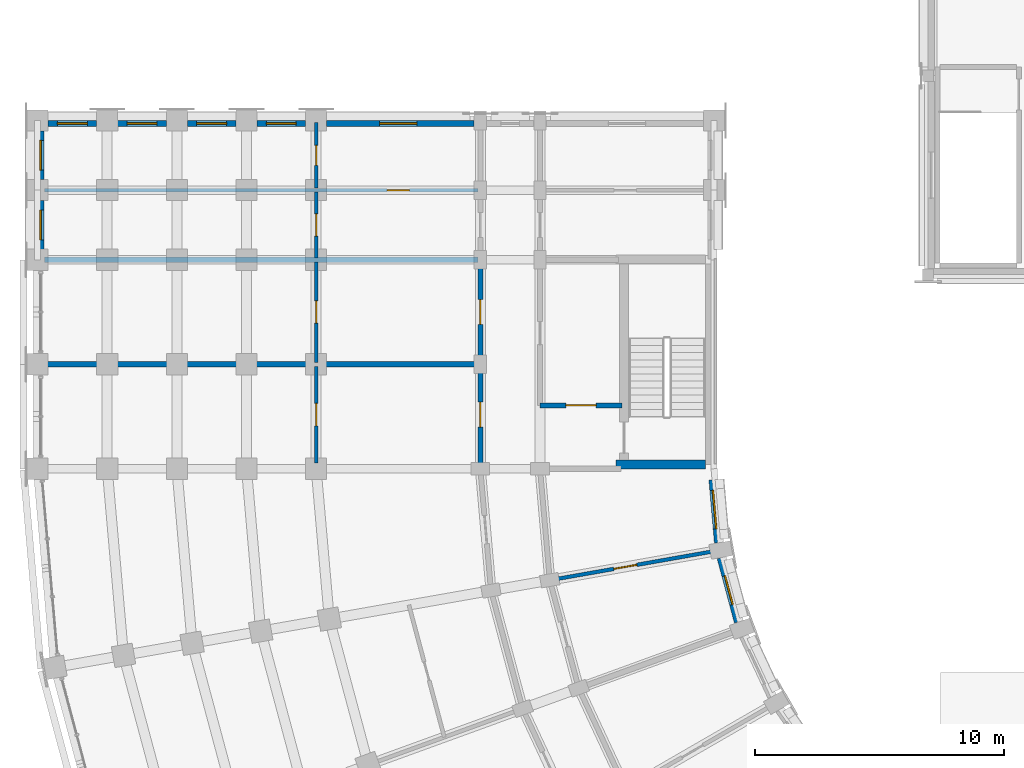
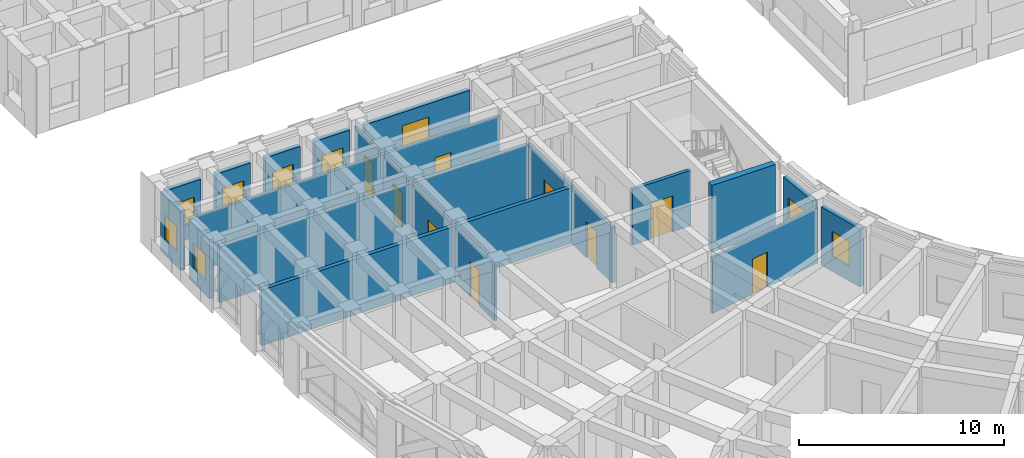
# One storey, part 60 of 97: 21 walls, 9 doors, 9 windows, 18 openings.
"""IFC4 building model written with IfcOpenShell, lengths in metres."""

import ifcopenshell
import ifcopenshell.guid

model = None  # the IFC model being written
_history = None  # IfcOwnerHistory: only IFC2X3 demands one
_inside = {}  # id of a spatial element -> (the spatial element, [elements in it])
_under = {}  # id of a project, library or spatial element -> (it, [spatial elements below it])
_declared = {}  # id of a project -> (the project, [libraries it declares])
_typed = {}  # id of a type object -> (the type object, [elements of that type])
_made_of = {}  # id of a material, layer set ... -> (it, [elements and type objects made of it])


def new_model(schema):
    """Start an empty IFC model of exactly this schema.

    Asked for "IFC4X3", IfcOpenShell would pick the latest addendum, in which some entities
    have other attributes; the version numbers below select the first issue.
    IFC2X3 requires an IfcOwnerHistory on every rooted entity: one is made here for all.
    """
    global model, _history
    if schema == "IFC4X3":
        model = ifcopenshell.file(schema_version=(4, 3, 0, 0))
    else:
        model = ifcopenshell.file(schema=schema)
    _inside.clear()
    _under.clear()
    _declared.clear()
    _typed.clear()
    _made_of.clear()
    _history = None
    if model.schema == "IFC2X3":
        org = make("IfcOrganization", Name="unknown")
        user = make(
            "IfcPersonAndOrganization",
            ThePerson=make("IfcPerson", FamilyName="unknown"),
            TheOrganization=org,
        )
        app = make(
            "IfcApplication",
            ApplicationDeveloper=org,
            Version="unknown",
            ApplicationFullName="unknown",
            ApplicationIdentifier="unknown",
        )
        _history = make(
            "IfcOwnerHistory",
            OwningUser=user,
            OwningApplication=app,
            ChangeAction="ADDED",
            CreationDate=0,
        )
    return model


def make(cls, **values):
    """One entity of the class cls with the attributes given. An attribute that is None is left unset."""
    return model.create_entity(
        cls, **{name: value for name, value in values.items() if value is not None}
    )


def rooted(cls, **values):
    """An entity with a GlobalId (a new one), such as an element, a storey or a relation."""
    return make(cls, GlobalId=ifcopenshell.guid.new(), OwnerHistory=_history, **values)


def si_unit(unit_type, name, prefix=None):
    """IfcSIUnit, for example si_unit("LENGTHUNIT", "METRE", prefix="MILLI")."""
    return make("IfcSIUnit", UnitType=unit_type, Prefix=prefix, Name=name)


def assignment(units):
    """IfcUnitAssignment: the units of a project."""
    return None if units is None else make("IfcUnitAssignment", Units=units)


def point(xyz):
    """IfcCartesianPoint."""
    return None if xyz is None else make("IfcCartesianPoint", Coordinates=xyz)


def direction(xyz):
    """IfcDirection."""
    return None if xyz is None else make("IfcDirection", DirectionRatios=xyz)


def frame(location, z_axis=None, x_axis=None):
    """IfcAxis2Placement3D, a coordinate frame: its origin and axes. An axis left out is left unset."""
    return make(
        "IfcAxis2Placement3D",
        Location=point(location),
        Axis=direction(z_axis),
        RefDirection=direction(x_axis),
    )


def frame_2d(location, x_axis=None):
    """IfcAxis2Placement2D, a coordinate frame in the plane: its origin and x axis."""
    return make(
        "IfcAxis2Placement2D", Location=point(location), RefDirection=direction(x_axis)
    )


def origin():
    """The frame at (0, 0, 0) with its axes left unset."""
    return frame((0.0, 0.0, 0.0))


def place(relative_to, where):
    """IfcLocalPlacement: puts the frame where relative to a parent placement (None: the world)."""
    return make(
        "IfcLocalPlacement", PlacementRelTo=relative_to, RelativePlacement=where
    )


def context(
    kind, dimensions, precision=None, world=None, true_north=None, identifier=None
):
    """IfcGeometricRepresentationContext, for example the 3D "Model" context."""
    return make(
        "IfcGeometricRepresentationContext",
        ContextIdentifier=identifier,
        ContextType=kind,
        CoordinateSpaceDimension=dimensions,
        Precision=precision,
        WorldCoordinateSystem=world,
        TrueNorth=true_north,
    )


def subcontext(parent, identifier, kind, view, scale=None):
    """IfcGeometricRepresentationSubContext, for example "Body" below "Model"."""
    return make(
        "IfcGeometricRepresentationSubContext",
        ContextIdentifier=identifier,
        ContextType=kind,
        ParentContext=parent,
        TargetScale=scale,
        TargetView=view,
    )


def project(units=None, contexts=None):
    """IfcProject with its units and contexts."""
    return rooted(
        "IfcProject",
        Name="project",
        RepresentationContexts=contexts,
        UnitsInContext=assignment(units),
    )


def spatial(cls, under=None, at=None, **own):
    """A site, building, storey or space (cls), placed at a placement, below another one or the project."""
    s = rooted(cls, ObjectPlacement=at, **own)
    if under is not None:
        _under.setdefault(under.id(), (under, []))[1].append(s)
    return s


def profile(cls, at=None, kind="AREA", **sizes):
    """A parametric profile (cls). Its sizes go by their IFC names, for example OverallWidth=200.0."""
    return make(cls, ProfileType=kind, Position=at, **sizes)


def rectangle(**sizes):
    """IfcRectangleProfileDef."""
    return profile("IfcRectangleProfileDef", **sizes)


def extrude(swept, where, along, depth):
    """IfcExtrudedAreaSolid: the profile swept, set in the frame where, extruded along a direction by depth."""
    return make(
        "IfcExtrudedAreaSolid",
        SweptArea=swept,
        Position=where,
        ExtrudedDirection=direction(along),
        Depth=depth,
    )


def shape(context_of_items, identifier, shape_type, items):
    """IfcShapeRepresentation: the items that make up one representation, for example the "Body"."""
    return make(
        "IfcShapeRepresentation",
        ContextOfItems=context_of_items,
        RepresentationIdentifier=identifier,
        RepresentationType=shape_type,
        Items=items,
    )


def material(Name=None, Category=None):
    """IfcMaterial."""
    return make("IfcMaterial", Name=Name, Category=Category)


def layer(
    of_material, thickness, ventilated=None, Name=None, Category=None, Priority=None
):
    """IfcMaterialLayer: one layer of a wall or slab, of a material (None: an air gap)."""
    return make(
        "IfcMaterialLayer",
        Material=of_material,
        LayerThickness=thickness,
        IsVentilated=ventilated,
        Name=Name,
        Category=Category,
        Priority=Priority,
    )


def layer_set(layers, Name=None):
    """IfcMaterialLayerSet."""
    return make("IfcMaterialLayerSet", MaterialLayers=layers, LayerSetName=Name)


def made_of(thing, what):
    """Note that an element or type object is made of a material, layer set ...; save() writes the relation."""
    if what is not None:
        _made_of.setdefault(what.id(), (what, []))[1].append(thing)
    return thing


def type_object(cls, material=None, **own):
    """A type object (cls), such as IfcWallType, which elements share."""
    return made_of(rooted(cls, **own), material)


def element(
    cls,
    number,
    at=None,
    inside=None,
    cuts=None,
    type_object=None,
    material=None,
    context=None,
    identifier="Body",
    shape_type=None,
    held_by="IfcProductDefinitionShape",
    body=None,
    shapes=None,
    **own,
):
    """One element of the class cls, such as IfcWall. Its Tag is "e" and its number.

    at: its placement. inside: the storey or other place that contains it. cuts: it is an
    opening in that element (IfcRelVoidsElement). A single representation is given by context,
    identifier, shape_type and body (its items); several are given by shapes. held_by: the class
    of the entity that holds the representations. save() writes the other relations.
    """
    e = rooted(cls, Tag="e%d" % number, ObjectPlacement=at, **own)
    if body is not None:
        shapes = [shape(context, identifier, shape_type, body)]
    if shapes is not None:
        e.Representation = make(held_by, Representations=shapes)
    if inside is not None:
        _inside.setdefault(inside.id(), (inside, []))[1].append(e)
    if cuts is not None:
        rooted(
            "IfcRelVoidsElement", RelatingBuildingElement=cuts, RelatedOpeningElement=e
        )
    if type_object is not None:
        _typed.setdefault(type_object.id(), (type_object, []))[1].append(e)
    return made_of(e, material)


def fill(opening, filler):
    """IfcRelFillsElement: the door or window that sits in an opening."""
    return rooted(
        "IfcRelFillsElement",
        RelatingOpeningElement=opening,
        RelatedBuildingElement=filler,
    )


def aggregate(whole, parts):
    """IfcRelAggregates: a whole, such as a stair, and the parts it consists of."""
    return rooted("IfcRelAggregates", RelatingObject=whole, RelatedObjects=parts)


def save(model, path):
    """Write the relations noted so far, then the file.

    IfcRelAggregates (storeys below a building ...), IfcRelContainedInSpatialStructure (elements
    in a storey), IfcRelDefinesByType, IfcRelAssociatesMaterial and IfcRelDeclares: one each for
    every whole, place, type object, material and project.
    """
    for whole, parts in _under.values():
        aggregate(whole, parts)
    for where, things in _inside.values():
        rooted(
            "IfcRelContainedInSpatialStructure",
            RelatedElements=things,
            RelatingStructure=where,
        )
    for kind, things in _typed.values():
        rooted("IfcRelDefinesByType", RelatedObjects=things, RelatingType=kind)
    for what, things in _made_of.values():
        rooted("IfcRelAssociatesMaterial", RelatedObjects=things, RelatingMaterial=what)
    for by, libraries in _declared.values():
        rooted("IfcRelDeclares", RelatingContext=by, RelatedDefinitions=libraries)
    model.write(path)


model = new_model("IFC4")

# Units and contexts
model_context = context("Model", 3, precision=1e-05, world=origin(), true_north=direction((0.0, 1.0)))
body_context = subcontext(model_context, "Body", "Model", "MODEL_VIEW")
ifc_project = project(units=[si_unit("LENGTHUNIT", "METRE"), si_unit("AREAUNIT", "SQUARE_METRE"), si_unit("VOLUMEUNIT", "CUBIC_METRE"), si_unit("PLANEANGLEUNIT", "RADIAN"), si_unit("MASSUNIT", "GRAM", prefix="KILO")], contexts=[model_context])

# Site, building, storey
site_placement = place(None, origin())
site = spatial("IfcSite", under=ifc_project, at=site_placement, CompositionType="ELEMENT")
building_placement = place(site_placement, origin())
building = spatial("IfcBuilding", under=site, at=building_placement, Name="Kiranvali Square Residences", CompositionType="ELEMENT")
storey_placement = place(building_placement, frame((0.0, 0.0, 4.5)))
storey = spatial("IfcBuildingStorey", under=building, at=storey_placement, Name="L01", CompositionType="ELEMENT", Elevation=4.5)

# Wall, opening, door
ifc_material_1 = material(Name="Autoclaved aerated concrete blockwork masonry", Category="masonry")
ifc_layer_1 = layer(ifc_material_1, 0.199951171875)
ifc_layer_set_1 = layer_set([ifc_layer_1], Name="Autoclaved aerated concrete blockwork masonry")
wall_type_1 = type_object("IfcWallType", Name="WL-COR-200", PredefinedType="STANDARD", material=ifc_layer_set_1)
wall_1_placement = place(storey_placement, frame((25.699951171875, 50.75, 0.0), z_axis=(0.0, 0.0, 1.0), x_axis=(-1.0, 0.0, 0.0)))
wall_1 = element("IfcWall", 1, at=wall_1_placement, inside=storey, type_object=wall_type_1, Name="L01 architectural wall WL-L01-C-S3-V", PredefinedType="STANDARD", context=body_context, shape_type="SweptSolid", body=[
    extrude(rectangle(XDim=3.300048828125, YDim=0.199951171875, at=frame_2d((1.64990234375, 0.0))), origin(), (0.0, 0.0, 1.0), 3.322021484375),
])
opening_1_placement = place(wall_1_placement, frame((1.0400390625, 0.0, 0.0)))
opening_1 = element("IfcOpeningElement", 2, at=opening_1_placement, cuts=wall_1, Name="Opening FD-COR-60", PredefinedType="OPENING", context=body_context, shape_type="SweptSolid", body=[
    extrude(rectangle(XDim=1.219970703125, YDim=2.14990234375, at=frame_2d((0.60986328125, 1.074951171875))), frame((0.0, 0.10986328125, 0.0), z_axis=(0.0, -1.0, 0.0), x_axis=(1.0, 0.0, 0.0)), (0.0, 0.0, 1.0), 0.219970703125),
])
ifc_material_2 = material(Name="Fire-rated acoustic hardwood and mineral-core door assembly", Category="wood")
door_type_1 = type_object("IfcDoorType", Name="DR-FD60-1200", OperationType="NOTDEFINED", PredefinedType="DOOR", material=ifc_material_2)
door_1_placement = place(opening_1_placement, frame((1.219970703125, 0.0, 0.0), z_axis=(0.0, 0.0, 1.0), x_axis=(-1.0, 0.0, 0.0)))
door_1 = element("IfcDoor", 3, at=door_1_placement, inside=storey, type_object=door_type_1, Name="L01 door DR-L01-1796 (DR-FD60-1200)", OperationType="SINGLE_SWING_RIGHT", OverallHeight=2.14990234375, OverallWidth=1.219970703125, PredefinedType="DOOR", context=body_context, shape_type="SweptSolid", body=[
    extrude(rectangle(XDim=1.219970703125, YDim=2.14990234375, at=frame_2d((0.60986328125, 1.074951171875))), frame((0.0, 0.02490234375, 0.0), z_axis=(0.0, -1.0, 0.0), x_axis=(1.0, 0.0, 0.0)), (0.0, 0.0, 1.0), 0.050048828125),
])
fill(opening_1, door_1)

wall_2_placement = place(storey_placement, frame((20.0, 48.35009765625, 0.0), z_axis=(0.0, 0.0, 1.0), x_axis=(0.0, 1.0, 0.0)))
wall_2 = element("IfcWall", 4, at=wall_2_placement, inside=storey, type_object=wall_type_1, Name="L01 architectural wall WL-L01-C-A2CF-C0", PredefinedType="STANDARD", context=body_context, shape_type="SweptSolid", body=[
    extrude(rectangle(XDim=4.0498046875, YDim=0.199951171875, at=frame_2d((2.02490234375, 0.0))), origin(), (0.0, 0.0, 1.0), 3.322021484375),
])
opening_2_placement = place(wall_2_placement, frame((1.52490234375, 0.0, 0.0)))
opening_2 = element("IfcOpeningElement", 5, at=opening_2_placement, cuts=wall_2, Name="Opening FD-APT-60", PredefinedType="OPENING", context=body_context, shape_type="SweptSolid", body=[
    extrude(rectangle(XDim=1.0, YDim=2.14990234375, at=frame_2d((0.5, 1.074951171875))), frame((0.0, 0.10986328125, 0.0), z_axis=(0.0, -1.0, 0.0), x_axis=(1.0, 0.0, 0.0)), (0.0, 0.0, 1.0), 0.219970703125),
])
door_type_2 = type_object("IfcDoorType", Name="DR-APT-1000", OperationType="NOTDEFINED", PredefinedType="DOOR", material=ifc_material_2)
door_2_placement = place(opening_2_placement, origin())
door_2 = element("IfcDoor", 6, at=door_2_placement, inside=storey, type_object=door_type_2, Name="L01 door DR-L01-1835 (DR-APT-1000)", OperationType="SINGLE_SWING_LEFT", OverallHeight=2.14990234375, OverallWidth=1.0, PredefinedType="DOOR", context=body_context, shape_type="SweptSolid", body=[
    extrude(rectangle(XDim=1.0, YDim=2.14990234375, at=frame_2d((0.5, 1.074951171875))), frame((0.0, 0.02490234375, 0.0), z_axis=(0.0, -1.0, 0.0), x_axis=(1.0, 0.0, 0.0)), (0.0, 0.0, 1.0), 0.050048828125),
])
fill(opening_2, door_2)

wall_3_placement = place(storey_placement, frame((20.0, 52.39990234375, 0.0), z_axis=(0.0, 0.0, 1.0), x_axis=(0.0, 1.0, 0.0)))
wall_3 = element("IfcWall", 7, at=wall_3_placement, inside=storey, type_object=wall_type_1, Name="L01 architectural wall WL-L01-C-A2CF-C1", PredefinedType="STANDARD", context=body_context, shape_type="SweptSolid", body=[
    extrude(rectangle(XDim=4.2001953125, YDim=0.199951171875, at=frame_2d((2.10009765625, 0.0))), origin(), (0.0, 0.0, 1.0), 3.322021484375),
])
opening_3_placement = place(wall_3_placement, frame((1.60009765625, 0.0, 0.0)))
opening_3 = element("IfcOpeningElement", 8, at=opening_3_placement, cuts=wall_3, Name="Opening FD-APT-60", PredefinedType="OPENING", context=body_context, shape_type="SweptSolid", body=[
    extrude(rectangle(XDim=1.0, YDim=2.14990234375, at=frame_2d((0.5, 1.074951171875))), frame((0.0, 0.10986328125, 0.0), z_axis=(0.0, -1.0, 0.0), x_axis=(1.0, 0.0, 0.0)), (0.0, 0.0, 1.0), 0.219970703125),
])
door_3_placement = place(opening_3_placement, origin())
door_3 = element("IfcDoor", 9, at=door_3_placement, inside=storey, type_object=door_type_2, Name="L01 door DR-L01-1837 (DR-APT-1000)", OperationType="SINGLE_SWING_LEFT", OverallHeight=2.14990234375, OverallWidth=1.0, PredefinedType="DOOR", context=body_context, shape_type="SweptSolid", body=[
    extrude(rectangle(XDim=1.0, YDim=2.14990234375, at=frame_2d((0.5, 1.074951171875))), frame((0.0, 0.02490234375, 0.0), z_axis=(0.0, -1.0, 0.0), x_axis=(1.0, 0.0, 0.0)), (0.0, 0.0, 1.0), 0.050048828125),
])
fill(opening_3, door_3)

# Walls
ifc_layer_2 = layer(ifc_material_1, 0.219970703125)
ifc_layer_set_2 = layer_set([ifc_layer_2], Name="Autoclaved aerated concrete blockwork masonry")
wall_type_2 = type_object("IfcWallType", Name="WL-DEM-220", PredefinedType="STANDARD", material=ifc_layer_set_2)
wall_4_placement = place(storey_placement, frame((19.949951171875, 52.39990234375, 0.0), z_axis=(0.0, 0.0, 1.0), x_axis=(-1.0, 0.0, 0.0)))
element("IfcWall", 10, at=wall_4_placement, inside=storey, type_object=wall_type_2, Name="L01 architectural wall WL-L01-C-A2CF-MID", PredefinedType="STANDARD", context=body_context, shape_type="SweptSolid", body=[
    extrude(rectangle(XDim=17.530029296875, YDim=0.219970703125, at=frame_2d((8.76513671875, 0.0))), origin(), (0.0, 0.0, 1.0), 3.322021484375),
])
wall_5_placement = place(storey_placement, frame((19.89990234375, 56.60009765625, 0.0), z_axis=(0.0, 0.0, 1.0), x_axis=(-1.0, 0.0, 0.0)))
element("IfcWall", 11, at=wall_5_placement, inside=storey, type_object=wall_type_2, Name="L01 architectural wall WL-L01-C-A2TO-0", PredefinedType="STANDARD", context=body_context, shape_type="SweptSolid", body=[
    extrude(rectangle(XDim=17.419921875, YDim=0.219970703125, at=frame_2d((8.7099609375, 0.0))), origin(), (0.0, 0.0, 1.0), 3.322021484375),
])

# Wall, opening, window
ifc_material_3 = material(Name="Breathable lime-rendered clay brick masonry", Category="masonry")
ifc_layer_3 = layer(ifc_material_3, 0.25)
ifc_layer_set_3 = layer_set([ifc_layer_3], Name="Breathable lime-rendered clay brick masonry")
wall_type_3 = type_object("IfcWallType", Name="WL-EXT-250", PredefinedType="STANDARD", material=ifc_layer_set_3)
wall_6_placement = place(storey_placement, frame((30.33447265625, 42.031005859375, 0.0), z_axis=(0.0, 0.0, 1.0), x_axis=(-0.258812272661, 0.965927640934, 0.0)))
wall_6 = element("IfcWall", 12, at=wall_6_placement, inside=storey, type_object=wall_type_3, Name="L01 exterior wall C-L01-GDN-07", PredefinedType="STANDARD", context=body_context, shape_type="SweptSolid", body=[
    extrude(rectangle(XDim=2.669677734375, YDim=0.25, at=frame_2d((1.3349609375, 0.0))), origin(), (0.0, 0.0, 1.0), 3.471923828125),
])
opening_4_placement = place(wall_6_placement, frame((0.73486328125, 0.0, 0.8798828125)))
opening_4 = element("IfcOpeningElement", 13, at=opening_4_placement, cuts=wall_6, Name="Opening W-06", PredefinedType="OPENING", context=body_context, shape_type="SweptSolid", body=[
    extrude(rectangle(XDim=1.199951171875, YDim=1.5, at=frame_2d((0.60009765625, 0.75))), frame((0.0, 0.135009765625, 0.0), z_axis=(0.0, -1.0, 0.0), x_axis=(1.0, 0.0, 0.0)), (0.0, 0.0, 1.0), 0.27001953125),
])
ifc_material_4 = material(Name="Solar-control low-e double glazing", Category="glass")
window_type_1 = type_object("IfcWindowType", Name="WIN-RES-1200x1500", PartitioningType="SINGLE_PANEL", PredefinedType="WINDOW", material=ifc_material_4)
window_1_placement = place(opening_4_placement, origin())
window_1 = element("IfcWindow", 14, at=window_1_placement, inside=storey, type_object=window_type_1, Name="L01 recessed window C-L01-GDN-07", OverallHeight=1.5, OverallWidth=1.199951171875, PartitioningType="SINGLE_PANEL", PredefinedType="WINDOW", context=body_context, shape_type="SweptSolid", body=[
    extrude(rectangle(XDim=1.199951171875, YDim=1.5, at=frame_2d((0.60009765625, 0.75))), frame((0.0, 0.030029296875, 0.0), z_axis=(0.0, -1.0, 0.0), x_axis=(1.0, 0.0, 0.0)), (0.0, 0.0, 1.0), 0.06005859375),
])
fill(opening_4, window_1)

wall_7_placement = place(storey_placement, frame((29.53466796875, 45.22705078125, 0.0), z_axis=(0.0, 0.0, 1.0), x_axis=(-0.087215965161, 0.996189427479, 0.0)))
wall_7 = element("IfcWall", 15, at=wall_7_placement, inside=storey, type_object=wall_type_3, Name="L01 exterior wall C-L01-GDN-08", PredefinedType="STANDARD", context=body_context, shape_type="SweptSolid", body=[
    extrude(rectangle(XDim=2.533447265625, YDim=0.25, at=frame_2d((1.2666015625, 0.0))), origin(), (0.0, 0.0, 1.0), 3.471923828125),
])
opening_5_placement = place(wall_7_placement, frame((0.559814453125, 0.0, 0.8798828125)))
opening_5 = element("IfcOpeningElement", 16, at=opening_5_placement, cuts=wall_7, Name="Opening W-18", PredefinedType="OPENING", context=body_context, shape_type="SweptSolid", body=[
    extrude(rectangle(XDim=1.550048828125, YDim=1.60009765625, at=frame_2d((0.77490234375, 0.800048828125))), frame((0.0, 0.135009765625, 0.0), z_axis=(0.0, -1.0, 0.0), x_axis=(1.0, 0.0, 0.0)), (0.0, 0.0, 1.0), 0.27001953125),
])
window_type_2 = type_object("IfcWindowType", Name="WIN-GDN-1550x1600", PartitioningType="DOUBLE_PANEL_VERTICAL", PredefinedType="WINDOW", material=ifc_material_4)
window_2_placement = place(opening_5_placement, origin())
window_2 = element("IfcWindow", 17, at=window_2_placement, inside=storey, type_object=window_type_2, Name="L01 recessed window C-L01-GDN-08", OverallHeight=1.60009765625, OverallWidth=1.550048828125, PartitioningType="DOUBLE_PANEL_VERTICAL", PredefinedType="WINDOW", context=body_context, shape_type="SweptSolid", body=[
    extrude(rectangle(XDim=1.550048828125, YDim=1.60009765625, at=frame_2d((0.77490234375, 0.800048828125))), frame((0.0, 0.030029296875, 0.0), z_axis=(0.0, -1.0, 0.0), x_axis=(1.0, 0.0, 0.0)), (0.0, 0.0, 1.0), 0.06005859375),
])
fill(opening_5, window_2)

wall_8_placement = place(storey_placement, frame((2.324951171875, 57.02001953125, 0.0), z_axis=(0.0, 0.0, 1.0), x_axis=(0.0, 1.0, 0.0)))
wall_8 = element("IfcWall", 18, at=wall_8_placement, inside=storey, type_object=wall_type_3, Name="L01 exterior wall C-L01-A2O-2", PredefinedType="STANDARD", context=body_context, shape_type="SweptSolid", body=[
    extrude(rectangle(XDim=1.9599609375, YDim=0.25, at=frame_2d((0.97998046875, 0.0))), origin(), (0.0, 0.0, 1.0), 3.52197265625),
])
opening_6_placement = place(wall_8_placement, frame((0.3798828125, 0.0, 0.8798828125)))
opening_6 = element("IfcOpeningElement", 19, at=opening_6_placement, cuts=wall_8, Name="Opening W-06", PredefinedType="OPENING", context=body_context, shape_type="SweptSolid", body=[
    extrude(rectangle(XDim=1.199951171875, YDim=1.5, at=frame_2d((0.60009765625, 0.75))), frame((0.0, 0.135009765625, 0.0), z_axis=(0.0, -1.0, 0.0), x_axis=(1.0, 0.0, 0.0)), (0.0, 0.0, 1.0), 0.27001953125),
])
window_3_placement = place(opening_6_placement, origin())
window_3 = element("IfcWindow", 20, at=window_3_placement, inside=storey, type_object=window_type_1, Name="L01 recessed window C-L01-A2O-2", OverallHeight=1.5, OverallWidth=1.199951171875, PartitioningType="SINGLE_PANEL", PredefinedType="WINDOW", context=body_context, shape_type="SweptSolid", body=[
    extrude(rectangle(XDim=1.199951171875, YDim=1.5, at=frame_2d((0.60009765625, 0.75))), frame((0.0, 0.030029296875, 0.0), z_axis=(0.0, -1.0, 0.0), x_axis=(1.0, 0.0, 0.0)), (0.0, 0.0, 1.0), 0.06005859375),
])
fill(opening_6, window_3)

wall_9_placement = place(storey_placement, frame((2.324951171875, 59.820068359375, 0.0), z_axis=(0.0, 0.0, 1.0), x_axis=(0.0, 1.0, 0.0)))
wall_9 = element("IfcWall", 21, at=wall_9_placement, inside=storey, type_object=wall_type_3, Name="L01 exterior wall C-L01-A2O-3", PredefinedType="STANDARD", context=body_context, shape_type="SweptSolid", body=[
    extrude(rectangle(XDim=1.9599609375, YDim=0.25, at=frame_2d((0.97998046875, 0.0))), origin(), (0.0, 0.0, 1.0), 3.52197265625),
])
opening_7_placement = place(wall_9_placement, frame((0.3798828125, 0.0, 0.8798828125)))
opening_7 = element("IfcOpeningElement", 22, at=opening_7_placement, cuts=wall_9, Name="Opening W-06", PredefinedType="OPENING", context=body_context, shape_type="SweptSolid", body=[
    extrude(rectangle(XDim=1.199951171875, YDim=1.5, at=frame_2d((0.60009765625, 0.75))), frame((0.0, 0.135009765625, 0.0), z_axis=(0.0, -1.0, 0.0), x_axis=(1.0, 0.0, 0.0)), (0.0, 0.0, 1.0), 0.27001953125),
])
window_4_placement = place(opening_7_placement, origin())
window_4 = element("IfcWindow", 23, at=window_4_placement, inside=storey, type_object=window_type_1, Name="L01 recessed window C-L01-A2O-3", OverallHeight=1.5, OverallWidth=1.199951171875, PartitioningType="SINGLE_PANEL", PredefinedType="WINDOW", context=body_context, shape_type="SweptSolid", body=[
    extrude(rectangle(XDim=1.199951171875, YDim=1.5, at=frame_2d((0.60009765625, 0.75))), frame((0.0, 0.030029296875, 0.0), z_axis=(0.0, -1.0, 0.0), x_axis=(1.0, 0.0, 0.0)), (0.0, 0.0, 1.0), 0.06005859375),
])
fill(opening_7, window_4)

wall_10_placement = place(storey_placement, frame((19.74658203125, 62.074951171875, 0.0), z_axis=(0.0, 0.0, 1.0), x_axis=(-1.0, 0.0, 0.0)))
wall_10 = element("IfcWall", 24, at=wall_10_placement, inside=storey, type_object=wall_type_3, Name="L01 exterior wall C-L01-A2END-2", PredefinedType="STANDARD", context=body_context, shape_type="SweptSolid", body=[
    extrude(rectangle(XDim=5.926513671875, YDim=0.25, at=frame_2d((2.96337890625, 0.0))), origin(), (0.0, 0.0, 1.0), 3.322021484375),
])
opening_8_placement = place(wall_10_placement, frame((2.29638671875, 0.0, 0.8798828125)))
opening_8 = element("IfcOpeningElement", 25, at=opening_8_placement, cuts=wall_10, Name="Opening W-05", PredefinedType="OPENING", context=body_context, shape_type="SweptSolid", body=[
    extrude(rectangle(XDim=1.5, YDim=1.64990234375, at=frame_2d((0.75, 0.824951171875))), frame((0.0, 0.135009765625, 0.0), z_axis=(0.0, -1.0, 0.0), x_axis=(1.0, 0.0, 0.0)), (0.0, 0.0, 1.0), 0.27001953125),
])
window_type_3 = type_object("IfcWindowType", Name="WIN-RES-1500x1650", PartitioningType="DOUBLE_PANEL_VERTICAL", PredefinedType="WINDOW", material=ifc_material_4)
window_5_placement = place(opening_8_placement, origin())
window_5 = element("IfcWindow", 26, at=window_5_placement, inside=storey, type_object=window_type_3, Name="L01 recessed window C-L01-A2END-2", OverallHeight=1.64990234375, OverallWidth=1.5, PartitioningType="DOUBLE_PANEL_VERTICAL", PredefinedType="WINDOW", context=body_context, shape_type="SweptSolid", body=[
    extrude(rectangle(XDim=1.5, YDim=1.64990234375, at=frame_2d((0.75, 0.824951171875))), frame((0.0, 0.030029296875, 0.0), z_axis=(0.0, -1.0, 0.0), x_axis=(1.0, 0.0, 0.0)), (0.0, 0.0, 1.0), 0.06005859375),
])
fill(opening_8, window_5)

wall_11_placement = place(storey_placement, frame((12.97998046875, 62.074951171875, 0.0), z_axis=(0.0, 0.0, 1.0), x_axis=(-1.0, 0.0, 0.0)))
wall_11 = element("IfcWall", 27, at=wall_11_placement, inside=storey, type_object=wall_type_3, Name="L01 exterior wall C-L01-A2END-3", PredefinedType="STANDARD", context=body_context, shape_type="SweptSolid", body=[
    extrude(rectangle(XDim=1.9599609375, YDim=0.25, at=frame_2d((0.97998046875, 0.0))), origin(), (0.0, 0.0, 1.0), 3.322021484375),
])
opening_9_placement = place(wall_11_placement, frame((0.3798828125, 0.0, 0.8798828125)))
opening_9 = element("IfcOpeningElement", 28, at=opening_9_placement, cuts=wall_11, Name="Opening W-06", PredefinedType="OPENING", context=body_context, shape_type="SweptSolid", body=[
    extrude(rectangle(XDim=1.199951171875, YDim=1.5, at=frame_2d((0.60009765625, 0.75))), frame((0.0, 0.135009765625, 0.0), z_axis=(0.0, -1.0, 0.0), x_axis=(1.0, 0.0, 0.0)), (0.0, 0.0, 1.0), 0.27001953125),
])
window_6_placement = place(opening_9_placement, origin())
window_6 = element("IfcWindow", 29, at=window_6_placement, inside=storey, type_object=window_type_1, Name="L01 recessed window C-L01-A2END-3", OverallHeight=1.5, OverallWidth=1.199951171875, PartitioningType="SINGLE_PANEL", PredefinedType="WINDOW", context=body_context, shape_type="SweptSolid", body=[
    extrude(rectangle(XDim=1.199951171875, YDim=1.5, at=frame_2d((0.60009765625, 0.75))), frame((0.0, 0.030029296875, 0.0), z_axis=(0.0, -1.0, 0.0), x_axis=(1.0, 0.0, 0.0)), (0.0, 0.0, 1.0), 0.06005859375),
])
fill(opening_9, window_6)

wall_12_placement = place(storey_placement, frame((10.179931640625, 62.074951171875, 0.0), z_axis=(0.0, 0.0, 1.0), x_axis=(-1.0, 0.0, 0.0)))
wall_12 = element("IfcWall", 30, at=wall_12_placement, inside=storey, type_object=wall_type_3, Name="L01 exterior wall C-L01-A2END-4", PredefinedType="STANDARD", context=body_context, shape_type="SweptSolid", body=[
    extrude(rectangle(XDim=1.9599609375, YDim=0.25, at=frame_2d((0.97998046875, 0.0))), origin(), (0.0, 0.0, 1.0), 3.322021484375),
])
opening_10_placement = place(wall_12_placement, frame((0.3798828125, 0.0, 0.8798828125)))
opening_10 = element("IfcOpeningElement", 31, at=opening_10_placement, cuts=wall_12, Name="Opening W-06", PredefinedType="OPENING", context=body_context, shape_type="SweptSolid", body=[
    extrude(rectangle(XDim=1.199951171875, YDim=1.5, at=frame_2d((0.60009765625, 0.75))), frame((0.0, 0.135009765625, 0.0), z_axis=(0.0, -1.0, 0.0), x_axis=(1.0, 0.0, 0.0)), (0.0, 0.0, 1.0), 0.27001953125),
])
window_7_placement = place(opening_10_placement, origin())
window_7 = element("IfcWindow", 32, at=window_7_placement, inside=storey, type_object=window_type_1, Name="L01 recessed window C-L01-A2END-4", OverallHeight=1.5, OverallWidth=1.199951171875, PartitioningType="SINGLE_PANEL", PredefinedType="WINDOW", context=body_context, shape_type="SweptSolid", body=[
    extrude(rectangle(XDim=1.199951171875, YDim=1.5, at=frame_2d((0.60009765625, 0.75))), frame((0.0, 0.030029296875, 0.0), z_axis=(0.0, -1.0, 0.0), x_axis=(1.0, 0.0, 0.0)), (0.0, 0.0, 1.0), 0.06005859375),
])
fill(opening_10, window_7)

wall_13_placement = place(storey_placement, frame((7.3798828125, 62.074951171875, 0.0), z_axis=(0.0, 0.0, 1.0), x_axis=(-1.0, 0.0, 0.0)))
wall_13 = element("IfcWall", 33, at=wall_13_placement, inside=storey, type_object=wall_type_3, Name="L01 exterior wall C-L01-A2END-5", PredefinedType="STANDARD", context=body_context, shape_type="SweptSolid", body=[
    extrude(rectangle(XDim=1.9599609375, YDim=0.25, at=frame_2d((0.97998046875, 0.0))), origin(), (0.0, 0.0, 1.0), 3.322021484375),
])
opening_11_placement = place(wall_13_placement, frame((0.3798828125, 0.0, 0.8798828125)))
opening_11 = element("IfcOpeningElement", 34, at=opening_11_placement, cuts=wall_13, Name="Opening W-06", PredefinedType="OPENING", context=body_context, shape_type="SweptSolid", body=[
    extrude(rectangle(XDim=1.199951171875, YDim=1.5, at=frame_2d((0.60009765625, 0.75))), frame((0.0, 0.135009765625, 0.0), z_axis=(0.0, -1.0, 0.0), x_axis=(1.0, 0.0, 0.0)), (0.0, 0.0, 1.0), 0.27001953125),
])
window_8_placement = place(opening_11_placement, origin())
window_8 = element("IfcWindow", 35, at=window_8_placement, inside=storey, type_object=window_type_1, Name="L01 recessed window C-L01-A2END-5", OverallHeight=1.5, OverallWidth=1.199951171875, PartitioningType="SINGLE_PANEL", PredefinedType="WINDOW", context=body_context, shape_type="SweptSolid", body=[
    extrude(rectangle(XDim=1.199951171875, YDim=1.5, at=frame_2d((0.60009765625, 0.75))), frame((0.0, 0.030029296875, 0.0), z_axis=(0.0, -1.0, 0.0), x_axis=(1.0, 0.0, 0.0)), (0.0, 0.0, 1.0), 0.06005859375),
])
fill(opening_11, window_8)

wall_14_placement = place(storey_placement, frame((4.580078125, 62.074951171875, 0.0), z_axis=(0.0, 0.0, 1.0), x_axis=(-1.0, 0.0, 0.0)))
wall_14 = element("IfcWall", 36, at=wall_14_placement, inside=storey, type_object=wall_type_3, Name="L01 exterior wall C-L01-A2END-6", PredefinedType="STANDARD", context=body_context, shape_type="SweptSolid", body=[
    extrude(rectangle(XDim=1.9599609375, YDim=0.25, at=frame_2d((0.97998046875, 0.0))), origin(), (0.0, 0.0, 1.0), 3.322021484375),
])
opening_12_placement = place(wall_14_placement, frame((0.3798828125, 0.0, 0.8798828125)))
opening_12 = element("IfcOpeningElement", 37, at=opening_12_placement, cuts=wall_14, Name="Opening W-06", PredefinedType="OPENING", context=body_context, shape_type="SweptSolid", body=[
    extrude(rectangle(XDim=1.199951171875, YDim=1.5, at=frame_2d((0.60009765625, 0.75))), frame((0.0, 0.135009765625, 0.0), z_axis=(0.0, -1.0, 0.0), x_axis=(1.0, 0.0, 0.0)), (0.0, 0.0, 1.0), 0.27001953125),
])
window_9_placement = place(opening_12_placement, origin())
window_9 = element("IfcWindow", 38, at=window_9_placement, inside=storey, type_object=window_type_1, Name="L01 recessed window C-L01-A2END-6", OverallHeight=1.5, OverallWidth=1.199951171875, PartitioningType="SINGLE_PANEL", PredefinedType="WINDOW", context=body_context, shape_type="SweptSolid", body=[
    extrude(rectangle(XDim=1.199951171875, YDim=1.5, at=frame_2d((0.60009765625, 0.75))), frame((0.0, 0.030029296875, 0.0), z_axis=(0.0, -1.0, 0.0), x_axis=(1.0, 0.0, 0.0)), (0.0, 0.0, 1.0), 0.06005859375),
])
fill(opening_12, window_9)

# Wall, opening, door
ifc_material_5 = material(Name="Acoustic gypsum board drylined partition", Category="gypsum")
ifc_layer_4 = layer(ifc_material_5, 0.14990234375)
ifc_layer_set_4 = layer_set([ifc_layer_4], Name="Acoustic gypsum board drylined partition")
wall_type_4 = type_object("IfcWallType", Name="WL-PRT-150", PredefinedType="PARTITIONING", material=ifc_layer_set_4)
wall_15_placement = place(storey_placement, frame((29.48876953125, 44.900634765625, 0.0), z_axis=(0.0, 0.0, 1.0), x_axis=(-0.984807944945, -0.173647089161, 0.0)))
wall_15 = element("IfcWall", 39, at=wall_15_placement, inside=storey, type_object=wall_type_4, Name="L01 architectural wall WL-L01-C-RADI-8", PredefinedType="PARTITIONING", context=body_context, shape_type="SweptSolid", body=[
    extrude(rectangle(XDim=6.75, YDim=0.14990234375, at=frame_2d((3.375, 0.0))), origin(), (0.0, 0.0, 1.0), 3.322021484375),
])
opening_13_placement = place(wall_15_placement, frame((3.242431640625, 0.0, 0.0)))
opening_13 = element("IfcOpeningElement", 40, at=opening_13_placement, cuts=wall_15, Name="Opening ID-2", PredefinedType="OPENING", context=body_context, shape_type="SweptSolid", body=[
    extrude(rectangle(XDim=0.93994140625, YDim=2.10009765625, at=frame_2d((0.469970703125, 1.050048828125))), frame((0.0, 0.0849609375, 0.0), z_axis=(0.0, -1.0, 0.0), x_axis=(1.0, 0.0, 0.0)), (0.0, 0.0, 1.0), 0.169921875),
])
ifc_material_6 = material(Name="Solid seasoned teak hardwood joinery", Category="wood")
door_type_3 = type_object("IfcDoorType", Name="DR-INT-940", OperationType="NOTDEFINED", PredefinedType="DOOR", material=ifc_material_6)
door_4_placement = place(opening_13_placement, origin())
door_4 = element("IfcDoor", 41, at=door_4_placement, inside=storey, type_object=door_type_3, Name="L01 door DR-L01-1823 (DR-INT-940)", OperationType="SINGLE_SWING_LEFT", OverallHeight=2.10009765625, OverallWidth=0.93994140625, PredefinedType="DOOR", context=body_context, shape_type="SweptSolid", body=[
    extrude(rectangle(XDim=0.93994140625, YDim=2.10009765625, at=frame_2d((0.469970703125, 1.050048828125))), frame((0.0, 0.02490234375, 0.0), z_axis=(0.0, -1.0, 0.0), x_axis=(1.0, 0.0, 0.0)), (0.0, 0.0, 1.0), 0.050048828125),
])
fill(opening_13, door_4)

wall_16_placement = place(storey_placement, frame((13.39990234375, 48.429931640625, 0.0), z_axis=(0.0, 0.0, 1.0), x_axis=(0.0, 1.0, 0.0)))
wall_16 = element("IfcWall", 42, at=wall_16_placement, inside=storey, type_object=wall_type_4, Name="L01 architectural wall WL-L01-C-A2CF-SP0", PredefinedType="PARTITIONING", context=body_context, shape_type="SweptSolid", body=[
    extrude(rectangle(XDim=3.89013671875, YDim=0.14990234375, at=frame_2d((1.945068359375, 0.0))), origin(), (0.0, 0.0, 1.0), 3.322021484375),
])
opening_14_placement = place(wall_16_placement, frame((1.4951171875, 0.0, 0.0)))
opening_14 = element("IfcOpeningElement", 43, at=opening_14_placement, cuts=wall_16, Name="Opening ID-1", PredefinedType="OPENING", context=body_context, shape_type="SweptSolid", body=[
    extrude(rectangle(XDim=0.89990234375, YDim=2.10009765625, at=frame_2d((0.449951171875, 1.050048828125))), frame((0.0, 0.0849609375, 0.0), z_axis=(0.0, -1.0, 0.0), x_axis=(1.0, 0.0, 0.0)), (0.0, 0.0, 1.0), 0.169921875),
])
door_type_4 = type_object("IfcDoorType", Name="DR-INT-900", OperationType="NOTDEFINED", PredefinedType="DOOR", material=ifc_material_6)
door_5_placement = place(opening_14_placement, frame((0.89990234375, 0.0, 0.0), z_axis=(0.0, 0.0, 1.0), x_axis=(-1.0, 0.0, 0.0)))
door_5 = element("IfcDoor", 44, at=door_5_placement, inside=storey, type_object=door_type_4, Name="L01 door DR-L01-1836 (DR-INT-900)", OperationType="SINGLE_SWING_RIGHT", OverallHeight=2.10009765625, OverallWidth=0.89990234375, PredefinedType="DOOR", context=body_context, shape_type="SweptSolid", body=[
    extrude(rectangle(XDim=0.89990234375, YDim=2.10009765625, at=frame_2d((0.449951171875, 1.050048828125))), frame((0.0, 0.02490234375, 0.0), z_axis=(0.0, -1.0, 0.0), x_axis=(1.0, 0.0, 0.0)), (0.0, 0.0, 1.0), 0.050048828125),
])
fill(opening_14, door_5)

wall_17_placement = place(storey_placement, frame((13.39990234375, 52.47998046875, 0.0), z_axis=(0.0, 0.0, 1.0), x_axis=(0.0, 1.0, 0.0)))
wall_17 = element("IfcWall", 45, at=wall_17_placement, inside=storey, type_object=wall_type_4, Name="L01 architectural wall WL-L01-C-A2CF-SP1", PredefinedType="PARTITIONING", context=body_context, shape_type="SweptSolid", body=[
    extrude(rectangle(XDim=4.0400390625, YDim=0.14990234375, at=frame_2d((2.02001953125, 0.0))), origin(), (0.0, 0.0, 1.0), 3.322021484375),
])
opening_15_placement = place(wall_17_placement, frame((1.570068359375, 0.0, 0.0)))
opening_15 = element("IfcOpeningElement", 46, at=opening_15_placement, cuts=wall_17, Name="Opening ID-1", PredefinedType="OPENING", context=body_context, shape_type="SweptSolid", body=[
    extrude(rectangle(XDim=0.89990234375, YDim=2.10009765625, at=frame_2d((0.449951171875, 1.050048828125))), frame((0.0, 0.0849609375, 0.0), z_axis=(0.0, -1.0, 0.0), x_axis=(1.0, 0.0, 0.0)), (0.0, 0.0, 1.0), 0.169921875),
])
door_6_placement = place(opening_15_placement, frame((0.89990234375, 0.0, 0.0), z_axis=(0.0, 0.0, 1.0), x_axis=(-1.0, 0.0, 0.0)))
door_6 = element("IfcDoor", 47, at=door_6_placement, inside=storey, type_object=door_type_4, Name="L01 door DR-L01-1838 (DR-INT-900)", OperationType="SINGLE_SWING_RIGHT", OverallHeight=2.10009765625, OverallWidth=0.89990234375, PredefinedType="DOOR", context=body_context, shape_type="SweptSolid", body=[
    extrude(rectangle(XDim=0.89990234375, YDim=2.10009765625, at=frame_2d((0.449951171875, 1.050048828125))), frame((0.0, 0.02490234375, 0.0), z_axis=(0.0, -1.0, 0.0), x_axis=(1.0, 0.0, 0.0)), (0.0, 0.0, 1.0), 0.050048828125),
])
fill(opening_15, door_6)

wall_18_placement = place(storey_placement, frame((19.89990234375, 59.39990234375, 0.0), z_axis=(0.0, 0.0, 1.0), x_axis=(-1.0, 0.0, 0.0)))
wall_18 = element("IfcWall", 48, at=wall_18_placement, inside=storey, type_object=wall_type_4, Name="L01 architectural wall WL-L01-C-A2TO-1", PredefinedType="PARTITIONING", context=body_context, shape_type="SweptSolid", body=[
    extrude(rectangle(XDim=17.419921875, YDim=0.14990234375, at=frame_2d((8.7099609375, 0.0))), origin(), (0.0, 0.0, 1.0), 3.322021484375),
])
opening_16_placement = place(wall_18_placement, frame((2.75, 0.0, 0.0)))
opening_16 = element("IfcOpeningElement", 49, at=opening_16_placement, cuts=wall_18, Name="Opening ID-1", PredefinedType="OPENING", context=body_context, shape_type="SweptSolid", body=[
    extrude(rectangle(XDim=0.89990234375, YDim=2.10009765625, at=frame_2d((0.449951171875, 1.050048828125))), frame((0.0, 0.0849609375, 0.0), z_axis=(0.0, -1.0, 0.0), x_axis=(1.0, 0.0, 0.0)), (0.0, 0.0, 1.0), 0.169921875),
])
door_7_placement = place(opening_16_placement, frame((0.89990234375, 0.0, 0.0), z_axis=(0.0, 0.0, 1.0), x_axis=(-1.0, 0.0, 0.0)))
door_7 = element("IfcDoor", 50, at=door_7_placement, inside=storey, type_object=door_type_4, Name="L01 door DR-L01-1844 (DR-INT-900)", OperationType="SINGLE_SWING_RIGHT", OverallHeight=2.10009765625, OverallWidth=0.89990234375, PredefinedType="DOOR", context=body_context, shape_type="SweptSolid", body=[
    extrude(rectangle(XDim=0.89990234375, YDim=2.10009765625, at=frame_2d((0.449951171875, 1.050048828125))), frame((0.0, 0.02490234375, 0.0), z_axis=(0.0, -1.0, 0.0), x_axis=(1.0, 0.0, 0.0)), (0.0, 0.0, 1.0), 0.050048828125),
])
fill(opening_16, door_7)

# Wall
ifc_material_7 = material(Name="Concrete M50 (50 MPa)", Category="concrete")
ifc_layer_5 = layer(ifc_material_7, 0.35009765625)
ifc_layer_set_5 = layer_set([ifc_layer_5], Name="Concrete M50 (50 MPa)")
wall_type_5 = type_object("IfcWallType", Name="WL-SHR-350", PredefinedType="SHEAR", material=ifc_layer_set_5)
wall_19_placement = place(storey_placement, frame((29.050048828125, 48.375, 0.0), z_axis=(0.0, 0.0, 1.0), x_axis=(-1.0, 0.0, 0.0)))
element("IfcWall", 51, at=wall_19_placement, inside=storey, type_object=wall_type_5, Name="Block C core shear wall SW-C3-NEAR-L01", PredefinedType="SHEAR", context=body_context, shape_type="SweptSolid", body=[
    extrude(rectangle(XDim=3.60009765625, YDim=0.35009765625, at=frame_2d((1.800048828125, 0.0))), origin(), (0.0, 0.0, 1.0), 3.97998046875),
])

# Wall, opening, door
ifc_layer_6 = layer(ifc_material_1, 0.14990234375)
ifc_layer_set_6 = layer_set([ifc_layer_6], Name="Autoclaved aerated concrete blockwork masonry")
wall_type_6 = type_object("IfcWallType", Name="WL-WET-150", PredefinedType="PLUMBINGWALL", material=ifc_layer_set_6)
wall_20_placement = place(storey_placement, frame((13.39990234375, 56.679931640625, 0.0), z_axis=(0.0, 0.0, 1.0), x_axis=(0.0, 1.0, 0.0)))
wall_20 = element("IfcWall", 52, at=wall_20_placement, inside=storey, type_object=wall_type_6, Name="L01 architectural wall WL-L01-C-A2SP-0", PredefinedType="PLUMBINGWALL", context=body_context, shape_type="SweptSolid", body=[
    extrude(rectangle(XDim=2.64013671875, YDim=0.14990234375, at=frame_2d((1.320068359375, 0.0))), origin(), (0.0, 0.0, 1.0), 3.322021484375),
])
opening_17_placement = place(wall_20_placement, frame((0.8701171875, 0.0, 0.0)))
opening_17 = element("IfcOpeningElement", 53, at=opening_17_placement, cuts=wall_20, Name="Opening ID-1", PredefinedType="OPENING", context=body_context, shape_type="SweptSolid", body=[
    extrude(rectangle(XDim=0.89990234375, YDim=2.10009765625, at=frame_2d((0.449951171875, 1.050048828125))), frame((0.0, 0.0849609375, 0.0), z_axis=(0.0, -1.0, 0.0), x_axis=(1.0, 0.0, 0.0)), (0.0, 0.0, 1.0), 0.169921875),
])
door_8_placement = place(opening_17_placement, frame((0.89990234375, 0.0, 0.0), z_axis=(0.0, 0.0, 1.0), x_axis=(-1.0, 0.0, 0.0)))
door_8 = element("IfcDoor", 54, at=door_8_placement, inside=storey, type_object=door_type_4, Name="L01 door DR-L01-1840 (DR-INT-900)", OperationType="SINGLE_SWING_RIGHT", OverallHeight=2.10009765625, OverallWidth=0.89990234375, PredefinedType="DOOR", context=body_context, shape_type="SweptSolid", body=[
    extrude(rectangle(XDim=0.89990234375, YDim=2.10009765625, at=frame_2d((0.449951171875, 1.050048828125))), frame((0.0, 0.02490234375, 0.0), z_axis=(0.0, -1.0, 0.0), x_axis=(1.0, 0.0, 0.0)), (0.0, 0.0, 1.0), 0.050048828125),
])
fill(opening_17, door_8)

wall_21_placement = place(storey_placement, frame((13.39990234375, 59.47998046875, 0.0), z_axis=(0.0, 0.0, 1.0), x_axis=(0.0, 1.0, 0.0)))
wall_21 = element("IfcWall", 55, at=wall_21_placement, inside=storey, type_object=wall_type_6, Name="L01 architectural wall WL-L01-C-A2SP-1", PredefinedType="PLUMBINGWALL", context=body_context, shape_type="SweptSolid", body=[
    extrude(rectangle(XDim=2.64013671875, YDim=0.14990234375, at=frame_2d((1.320068359375, 0.0))), origin(), (0.0, 0.0, 1.0), 3.322021484375),
])
opening_18_placement = place(wall_21_placement, frame((0.919921875, 0.0, 0.0)))
opening_18 = element("IfcOpeningElement", 56, at=opening_18_placement, cuts=wall_21, Name="Opening ID-WET", PredefinedType="OPENING", context=body_context, shape_type="SweptSolid", body=[
    extrude(rectangle(XDim=0.800048828125, YDim=2.10009765625, at=frame_2d((0.39990234375, 1.050048828125))), frame((0.0, 0.0849609375, 0.0), z_axis=(0.0, -1.0, 0.0), x_axis=(1.0, 0.0, 0.0)), (0.0, 0.0, 1.0), 0.169921875),
])
door_type_5 = type_object("IfcDoorType", Name="DR-WET-800", OperationType="NOTDEFINED", PredefinedType="DOOR", material=ifc_material_6)
door_9_placement = place(opening_18_placement, frame((0.800048828125, 0.0, 0.0), z_axis=(0.0, 0.0, 1.0), x_axis=(-1.0, 0.0, 0.0)))
door_9 = element("IfcDoor", 57, at=door_9_placement, inside=storey, type_object=door_type_5, Name="L01 door DR-L01-1842 (DR-WET-800)", OperationType="SINGLE_SWING_RIGHT", OverallHeight=2.10009765625, OverallWidth=0.800048828125, PredefinedType="DOOR", context=body_context, shape_type="SweptSolid", body=[
    extrude(rectangle(XDim=0.800048828125, YDim=2.10009765625, at=frame_2d((0.39990234375, 1.050048828125))), frame((0.0, 0.02490234375, 0.0), z_axis=(0.0, -1.0, 0.0), x_axis=(1.0, 0.0, 0.0)), (0.0, 0.0, 1.0), 0.050048828125),
])
fill(opening_18, door_9)

save(model, "model.ifc")
